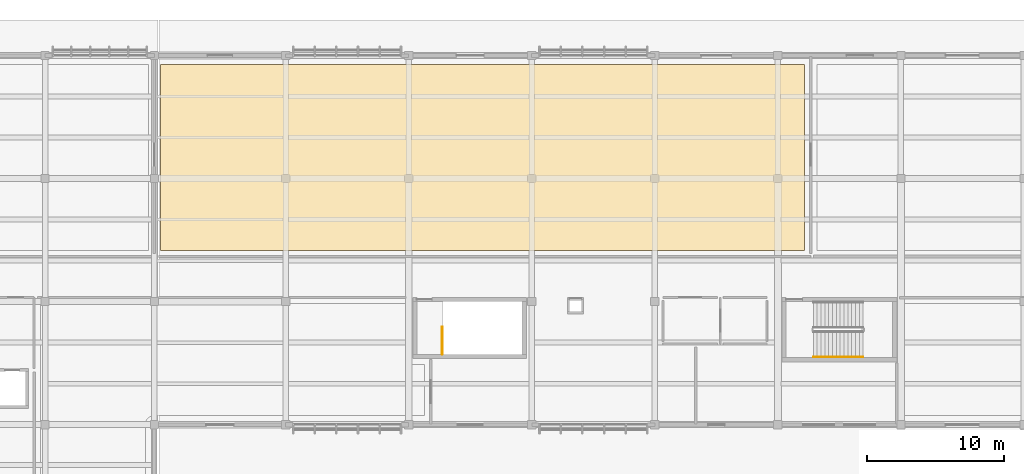
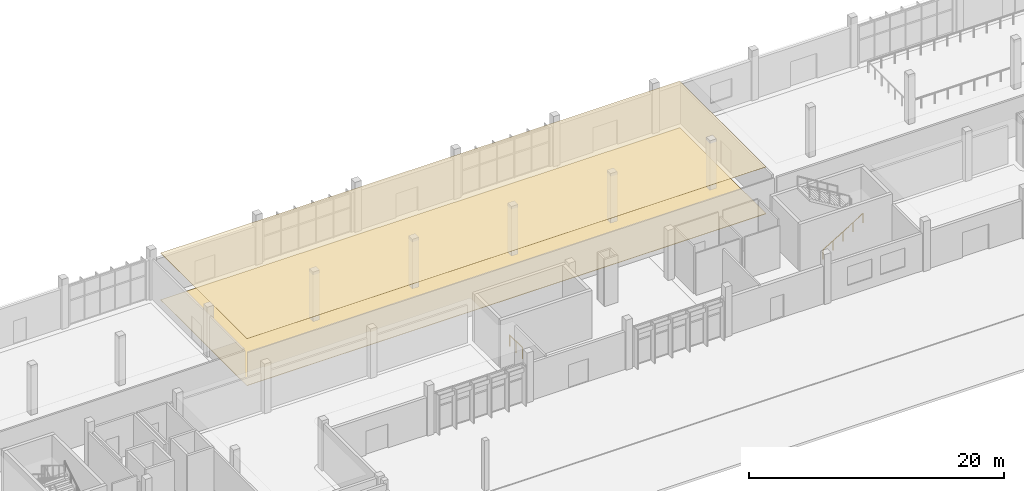
# One storey, part 144 of 151: 2 coverings, 2 railings.
"""IFC4 building model written with IfcOpenShell, lengths in metres."""

from ifc_helpers import new_model, si_unit, direction, frame, origin, origin_2d, place, context, subcontext, project, spatial, polyline, circle, outline, extrude, material, layer, layer_set, type_object, element, save


model = new_model("IFC4")

# Units and contexts
model_context = context("Model", 3, precision=1e-05, world=origin(), true_north=direction((0.0, 1.0)))
body_context = subcontext(model_context, "Body", "Model", "MODEL_VIEW")
ifc_project = project(units=[si_unit("LENGTHUNIT", "METRE"), si_unit("AREAUNIT", "SQUARE_METRE"), si_unit("VOLUMEUNIT", "CUBIC_METRE"), si_unit("PLANEANGLEUNIT", "RADIAN"), si_unit("MASSUNIT", "GRAM", prefix="KILO")], contexts=[model_context])

# Site, building, storey
site_placement = place(None, origin())
site = spatial("IfcSite", under=ifc_project, at=site_placement, CompositionType="ELEMENT")
building_placement = place(site_placement, origin())
building = spatial("IfcBuilding", under=site, at=building_placement, Name="Chiffa Square Polytechnic", CompositionType="ELEMENT")
storey_placement = place(building_placement, origin())
storey = spatial("IfcBuildingStorey", under=building, at=storey_placement, Name="L00", CompositionType="ELEMENT", Elevation=0.0)

# Coverings
ifc_material_1 = material(Name="Perforated gypsum acoustic board")
ifc_layer_1 = layer(ifc_material_1, 0.02490234375, Name="Perforated gypsum acoustic board")
ifc_layer_set_1 = layer_set([ifc_layer_1], Name="Perforated gypsum acoustic board")
covering_type_1 = type_object("IfcCoveringType", Name="COV-CEIL-GYP", PredefinedType="CEILING", material=ifc_layer_set_1)
covering_1_placement = place(storey_placement, frame((0.0, 0.0, 4.4970703125)))
element("IfcCovering", 1, at=covering_1_placement, inside=storey, type_object=covering_type_1, Name="Suspended acoustic ceiling CL-V5-L00-015", PredefinedType="CEILING", context=body_context, shape_type="SweptSolid", body=[
    extrude(outline(polyline([(95.550048828125, 116.550048828125), (48.449951171875, 116.550048828125), (48.449951171875, 130.1298828125), (95.550048828125, 130.1298828125), (95.550048828125, 116.550048828125)])), origin(), (0.0, 0.0, 1.0), 0.02490234375),
])
ifc_material_2 = material(Name="Polished cementitious terrazzo")
ifc_layer_2 = layer(ifc_material_2, 0.0400390625, Name="Polished cementitious terrazzo")
ifc_layer_set_2 = layer_set([ifc_layer_2], Name="Polished cementitious terrazzo")
covering_type_2 = type_object("IfcCoveringType", Name="COV-FLR-TERRAZZO", PredefinedType="FLOORING", material=ifc_layer_set_2)
covering_2_placement = place(storey_placement, origin())
element("IfcCovering", 2, at=covering_2_placement, inside=storey, type_object=covering_type_2, Name="Polished terrazzo floor finish FL-V5-L00-014", PredefinedType="FLOORING", context=body_context, shape_type="SweptSolid", body=[
    extrude(outline(polyline([(95.550048828125, 116.550048828125), (48.449951171875, 116.550048828125), (48.449951171875, 130.1298828125), (95.550048828125, 130.1298828125), (95.550048828125, 116.550048828125)])), origin(), (0.0, 0.0, 1.0), 0.0400390625),
])

# Railings
ifc_material_3 = material(Name="Steel S355", Category="steel")
ifc_layer_3 = layer(ifc_material_3, 0.050048828125, Name="Steel S355")
ifc_layer_set_3 = layer_set([ifc_layer_3], Name="Steel S355")
railing_type_1 = type_object("IfcRailingType", Name="RL-STAIR-GUARD", PredefinedType="GUARDRAIL", material=ifc_layer_set_3)
railing_1_placement = place(storey_placement, frame((69.050048828125, 108.949951171875, 0.0)))
element("IfcRailing", 3, at=railing_1_placement, inside=storey, type_object=railing_type_1, Name="L00 ST-B1W top well guard 1", PredefinedType="GUARDRAIL", context=body_context, shape_type="SweptSolid", body=[
    extrude(circle(Radius=0.02392578125, at=origin_2d()), frame((0.0, 0.0, 1.076171875), z_axis=(0.0, 1.0, 0.0), x_axis=(-1.0, 0.0, 0.0)), (0.0, 0.0, 1.0), 2.0),
    extrude(circle(Radius=0.02099609375, at=origin_2d()), origin(), (0.0, 0.0, 1.0), 1.052001953125),
    extrude(circle(Radius=0.02099609375, at=origin_2d()), frame((0.0, 1.0, 0.0)), (0.0, 0.0, 1.0), 1.052001953125),
    extrude(circle(Radius=0.02099609375, at=origin_2d()), frame((0.0, 2.0, 0.0)), (0.0, 0.0, 1.0), 1.052001953125),
])
ifc_layer_4 = layer(ifc_material_3, 0.044921875, Name="Steel S355")
ifc_layer_set_4 = layer_set([ifc_layer_4], Name="Steel S355")
railing_type_2 = type_object("IfcRailingType", Name="RL-STAIR-HAND", PredefinedType="HANDRAIL", material=ifc_layer_set_4)
railing_2_placement = place(storey_placement, frame((96.199951171875, 108.75, 0.17138671875)))
element("IfcRailing", 4, at=railing_2_placement, inside=storey, type_object=railing_type_2, Name="L00 ST-V5B stair handrail 1", PredefinedType="HANDRAIL", context=body_context, shape_type="SweptSolid", body=[
    extrude(circle(Radius=0.02392578125, at=origin_2d()), frame((0.0, 0.0, 0.89599609375), z_axis=(0.852865859571, 0.0, 0.52213008492), x_axis=(0.0, 1.0, 0.0)), (0.0, 0.0, 1.0), 4.26806640625),
    extrude(circle(Radius=0.02099609375, at=origin_2d()), origin(), (0.0, 0.0, 1.0), 0.871826171875),
    extrude(circle(Radius=0.02099609375, at=origin_2d()), frame((0.91015625, 0.0, 0.55712890625)), (0.0, 0.0, 1.0), 0.871826171875),
    extrude(circle(Radius=0.02099609375, at=origin_2d()), frame((1.820068359375, 0.0, 1.1142578125)), (0.0, 0.0, 1.0), 0.871826171875),
    extrude(circle(Radius=0.02099609375, at=origin_2d()), frame((2.72998046875, 0.0, 1.67138671875)), (0.0, 0.0, 1.0), 0.871826171875),
    extrude(circle(Radius=0.02099609375, at=origin_2d()), frame((3.64013671875, 0.0, 2.228515625)), (0.0, 0.0, 1.0), 0.871826171875),
])

save(model, "model.ifc")
